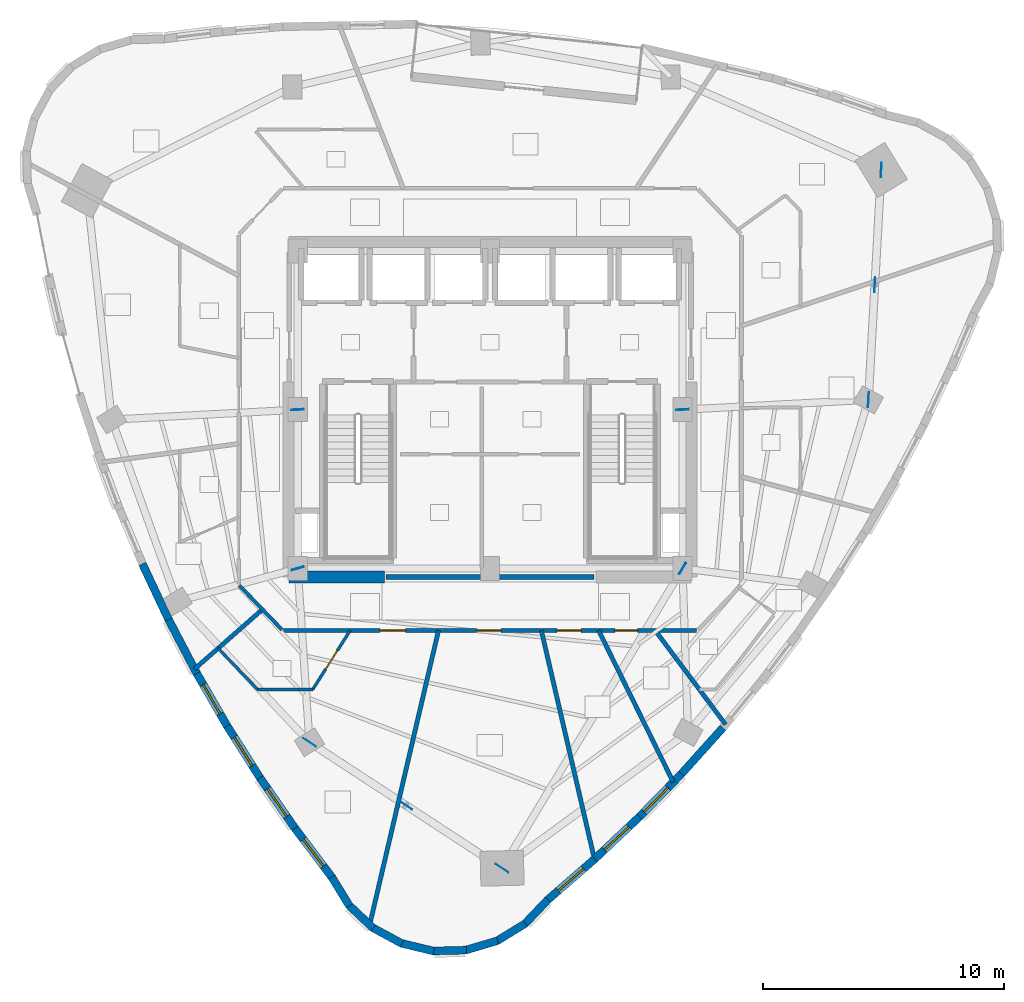
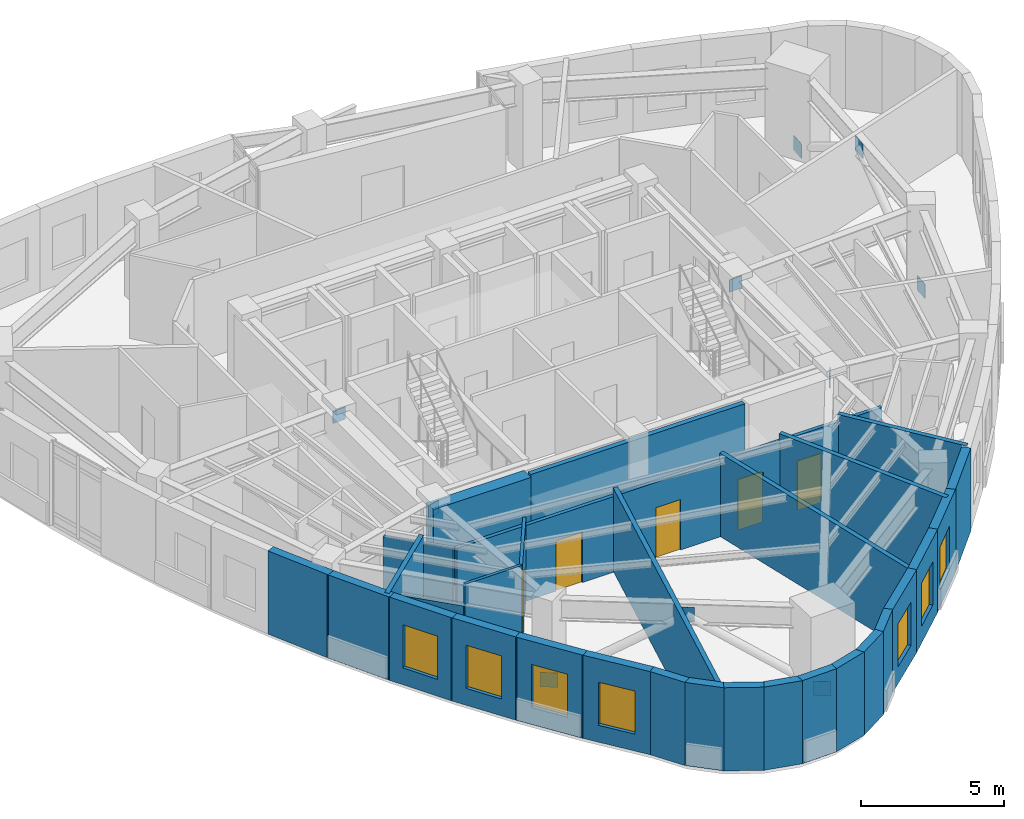
# One storey, part 9 of 16: 30 walls, 10 plates, 7 windows, 5 doors, 12 openings.
"""IFC4 building model written with IfcOpenShell, lengths in metres."""

from ifc_helpers import new_model, si_unit, direction, frame, frame_2d, origin, origin_2d, place, context, subcontext, project, spatial, rectangle, extrude, material, layer, layer_set, type_object, element, fill, save


model = new_model("IFC4")

# Units and contexts
model_context = context("Model", 3, precision=1e-05, world=origin(), true_north=direction((0.0, 1.0)))
body_context = subcontext(model_context, "Body", "Model", "MODEL_VIEW")
ifc_project = project(units=[si_unit("LENGTHUNIT", "METRE"), si_unit("AREAUNIT", "SQUARE_METRE"), si_unit("VOLUMEUNIT", "CUBIC_METRE"), si_unit("PLANEANGLEUNIT", "RADIAN"), si_unit("MASSUNIT", "GRAM", prefix="KILO")], contexts=[model_context])

# Site, building, storey
site_placement = place(None, origin())
site = spatial("IfcSite", under=ifc_project, at=site_placement, CompositionType="ELEMENT")
building_placement = place(site_placement, origin())
building = spatial("IfcBuilding", under=site, at=building_placement, Name="Ndelora Gate Hotel", CompositionType="ELEMENT")
storey_placement = place(building_placement, frame((0.0, 0.0, 182.75)))
storey = spatial("IfcBuildingStorey", under=building, at=storey_placement, Name="L45", CompositionType="ELEMENT", Elevation=182.75)

# Plates
ifc_material_1 = material(Name="Steel S460", Category="steel")
ifc_layer_1 = layer(ifc_material_1, 0.035888671875)
ifc_layer_set_1 = layer_set([ifc_layer_1], Name="Steel S460")
plate_type_1 = type_object("IfcPlateType", Name="PL-EMBED-EP1", PredefinedType="USERDEFINED", material=ifc_layer_set_1)
for number, where, z_axis, x_axis, name in (
    (1, (-8.0, 0.0, 2.840087890625), (0.0, 0.0, 1.0), (0.998583482773, 0.053207404874, 0.0), "L45 Core shear-wall cast-in embed plate EP1"),
    (2, (-8.0, -6.60009765625, 2.840087890625), (0.0, 0.0, 1.0), (0.964419122639, 0.264378054854, 0.0), "L45 Core shear-wall cast-in embed plate EP1"),
    (3, (8.0, -6.60009765625, 2.840087890625), (0.0, 0.0, 1.0), (0.515636365015, 0.856807527438, 0.0), "L45 Core shear-wall cast-in embed plate EP1"),
    (4, (8.0, 0.0, 2.840087890625), (0.0, 0.0, 1.0), (0.998583482773, 0.053207404874, 0.0), "L45 Core shear-wall cast-in embed plate EP1"),
):
    element("IfcPlate", number, at=place(storey_placement, frame(where, z_axis=z_axis, x_axis=x_axis)), inside=storey, type_object=plate_type_1, Name=name, ObjectType="BASE_PLATE", PredefinedType="USERDEFINED", context=body_context, shape_type="SweptSolid", body=[
        extrude(rectangle(XDim=0.52001953125, YDim=0.035888671875, at=origin_2d()), origin(), (0.0, 0.0, 1.0), 0.52001953125),
    ])
ifc_material_2 = material(Name="Steel S355", Category="steel")
ifc_layer_2 = layer(ifc_material_2, 0.02001953125)
ifc_layer_set_2 = layer_set([ifc_layer_2], Name="Steel S355")
plate_type_2 = type_object("IfcPlateType", Name="PL-NODE-VN1", PredefinedType="USERDEFINED", material=ifc_layer_set_2)
for number, where, z_axis, x_axis, name in (
    (5, (-7.50830078125, -13.828369140625, -0.2900390625), (0.0, 0.0, 1.0), (-0.836955398099, 0.547271104292, 0.0), "Node gusset cap plate VN1"),
    (6, (0.499267578125, -19.064208984375, -0.2900390625), (0.0, 0.0, 1.0), (-0.836955398099, 0.547271104292, 0.0), "Node gusset cap plate VN1"),
    (7, (-3.50439453125, -16.4462890625, 2.68994140625), (0.0, 0.0, 1.0), (-0.836955398099, 0.547271104292, 0.0), "Node gusset cap plate VN1"),
    (8, (15.72998046875, 0.411865234375, -0.2900390625), (0.0, 0.0, 1.0), (0.055472980025, 0.998460188734, 0.0), "Node gusset cap plate VN1"),
    (9, (16.26025390625, 9.96435546875, -0.2900390625), (0.0, 0.0, 1.0), (0.055472980025, 0.998460188734, 0.0), "Node gusset cap plate VN1"),
    (10, (15.9951171875, 5.18798828125, 2.68994140625), (0.0, 0.0, 1.0), (0.055472980025, 0.998460188734, 0.0), "Node gusset cap plate VN1"),
):
    element("IfcPlate", number, at=place(storey_placement, frame(where, z_axis=z_axis, x_axis=x_axis)), inside=storey, type_object=plate_type_2, Name=name, ObjectType="GUSSET_PLATE", PredefinedType="USERDEFINED", context=body_context, shape_type="SweptSolid", body=[
        extrude(rectangle(XDim=0.6201171875, YDim=0.02001953125, at=origin_2d()), origin(), (0.0, 0.0, 1.0), 0.6201171875),
    ])

# Walls
ifc_material_3 = material(Name="Acoustic Double-Stud Gypsum Assembly", Category="gypsum")
ifc_layer_3 = layer(ifc_material_3, 0.179931640625)
ifc_layer_set_3 = layer_set([ifc_layer_3], Name="Acoustic Double-Stud Gypsum Assembly")
wall_type_1 = type_object("IfcWallType", Name="WL-ACOUST-180", PredefinedType="PARTITIONING", material=ifc_layer_set_3)
wall_1_placement = place(storey_placement, frame((6.866943359375, -9.179931640625, 0.0), z_axis=(0.0, 0.0, 1.0), x_axis=(0.598991453889, -0.800755417195, 0.0)))
element("IfcWall", 11, at=wall_1_placement, inside=storey, type_object=wall_type_1, Name="L45 Interior Wall IW-3", PredefinedType="PARTITIONING", context=body_context, shape_type="SweptSolid", body=[
    extrude(rectangle(XDim=4.882568359375, YDim=0.179931640625, at=frame_2d((2.44140625, 0.0))), origin(), (0.0, 0.0, 1.0), 3.550048828125),
])
wall_2_placement = place(storey_placement, frame((-9.464111328125, -8.3037109375, 0.0), z_axis=(0.0, 0.0, 1.0), x_axis=(-0.751699255643, -0.659506049302, 0.0)))
element("IfcWall", 12, at=wall_2_placement, inside=storey, type_object=wall_type_1, Name="L45 Interior Wall IW-3", PredefinedType="PARTITIONING", context=body_context, shape_type="SweptSolid", body=[
    extrude(rectangle(XDim=3.76025390625, YDim=0.179931640625, at=frame_2d((1.880126953125, 0.0))), origin(), (0.0, 0.0, 1.0), 3.550048828125),
])
wall_3_placement = place(storey_placement, frame((-2.14501953125, -9.179931640625, 0.0), z_axis=(0.0, 0.0, 1.0), x_axis=(-0.22755258656, -0.973765793376, 0.0)))
element("IfcWall", 13, at=wall_3_placement, inside=storey, type_object=wall_type_1, Name="L45 Interior Wall IW-3", PredefinedType="PARTITIONING", context=body_context, shape_type="SweptSolid", body=[
    extrude(rectangle(XDim=12.569091796875, YDim=0.179931640625, at=frame_2d((6.28466796875, 0.0))), origin(), (0.0, 0.0, 1.0), 3.550048828125),
])
wall_4_placement = place(storey_placement, frame((2.131591796875, -9.179931640625, 0.0), z_axis=(0.0, 0.0, 1.0), x_axis=(0.226196232917, -0.974081754379, 0.0)))
element("IfcWall", 14, at=wall_4_placement, inside=storey, type_object=wall_type_1, Name="L45 Interior Wall IW-3", PredefinedType="PARTITIONING", context=body_context, shape_type="SweptSolid", body=[
    extrude(rectangle(XDim=9.762451171875, YDim=0.179931640625, at=frame_2d((4.88134765625, 0.0))), origin(), (0.0, 0.0, 1.0), 3.550048828125),
])
wall_5_placement = place(storey_placement, frame((4.51416015625, -9.179931640625, 0.0), z_axis=(0.0, 0.0, 1.0), x_axis=(0.441285267702, -0.897366877319, 0.0)))
element("IfcWall", 15, at=wall_5_placement, inside=storey, type_object=wall_type_1, Name="L45 Interior Wall IW-3", PredefinedType="PARTITIONING", context=body_context, shape_type="SweptSolid", body=[
    extrude(rectangle(XDim=7.029052734375, YDim=0.179931640625, at=frame_2d((3.5146484375, 0.0))), origin(), (0.0, 0.0, 1.0), 3.550048828125),
])
ifc_material_4 = material(Name="Clay Brick Masonry", Category="masonry")
ifc_layer_4 = layer(ifc_material_4, 0.330078125)
ifc_layer_set_4 = layer_set([ifc_layer_4], Name="Clay Brick Masonry")
wall_type_2 = type_object("IfcWallType", Name="WL-BRICK-330", PredefinedType="SOLIDWALL", material=ifc_layer_set_4)
wall_6_placement = place(storey_placement, frame((-13.364990234375, -8.7314453125, 0.0), z_axis=(0.0, 0.0, 1.0), x_axis=(-0.425774125911, 0.90482948322, 0.0)))
element("IfcWall", 16, at=wall_6_placement, inside=storey, type_object=wall_type_2, Name="L45 Tower Brick Pier-and-Spandrel Wall TWR-15", PredefinedType="SOLIDWALL", context=body_context, shape_type="SweptSolid", body=[
    extrude(rectangle(XDim=2.56591796875, YDim=0.330078125, at=frame_2d((1.282958984375, 0.0))), origin(), (0.0, 0.0, 1.0), 3.550048828125),
])
wall_7_placement = place(storey_placement, frame((-12.196044921875, -10.964599609375, 0.0), z_axis=(0.0, 0.0, 1.0), x_axis=(-0.463361004434, 0.886169611062, 0.0)))
element("IfcWall", 17, at=wall_7_placement, inside=storey, type_object=wall_type_2, Name="L45 Tower Brick Pier-and-Spandrel Wall TWR-16", PredefinedType="SOLIDWALL", context=body_context, shape_type="SweptSolid", body=[
    extrude(rectangle(XDim=2.57080078125, YDim=0.330078125, at=frame_2d((1.285400390625, 0.0))), origin(), (0.0, 0.0, 1.0), 3.550048828125),
])

# Wall, opening, window
wall_8_placement = place(storey_placement, frame((-10.930908203125, -13.15478515625, 0.0), z_axis=(0.0, 0.0, 1.0), x_axis=(-0.499875407217, 0.866097325513, 0.0)))
wall_8 = element("IfcWall", 18, at=wall_8_placement, inside=storey, type_object=wall_type_2, Name="L45 Tower Brick Pier-and-Spandrel Wall TWR-17", PredefinedType="SOLIDWALL", context=body_context, shape_type="SweptSolid", body=[
    extrude(rectangle(XDim=2.579345703125, YDim=0.330078125, at=frame_2d((1.28955078125, 0.0))), origin(), (0.0, 0.0, 1.0), 3.550048828125),
])
opening_1_placement = place(wall_8_placement, frame((0.589599609375, 0.0, 0.719970703125)))
opening_1 = element("IfcOpeningElement", 19, at=opening_1_placement, cuts=wall_8, Name="Opening W02", PredefinedType="OPENING", context=body_context, shape_type="SweptSolid", body=[
    extrude(rectangle(XDim=1.39990234375, YDim=1.840087890625, at=frame_2d((0.699951171875, 0.919921875))), frame((0.0, 0.175048828125, 0.0), z_axis=(0.0, -1.0, 0.0), x_axis=(1.0, 0.0, 0.0)), (0.0, 0.0, 1.0), 0.35009765625),
])
ifc_material_5 = material(Name="Insulated Low-E Double Glazing in Bronze Aluminium Frame", Category="aluminium")
window_type = type_object("IfcWindowType", Name="WN-DEEP-1400", PartitioningType="SINGLE_PANEL", PredefinedType="WINDOW", material=ifc_material_5)
window_1_placement = place(opening_1_placement, origin())
window_1 = element("IfcWindow", 20, at=window_1_placement, inside=storey, type_object=window_type, Name="L45 Deep-Set Brick-Pier Window W02", OverallHeight=1.840087890625, OverallWidth=1.39990234375, PartitioningType="SINGLE_PANEL", PredefinedType="WINDOW", context=body_context, shape_type="SweptSolid", body=[
    extrude(rectangle(XDim=1.39990234375, YDim=1.840087890625, at=frame_2d((0.699951171875, 0.919921875))), frame((0.0, 0.030029296875, 0.0), z_axis=(0.0, -1.0, 0.0), x_axis=(1.0, 0.0, 0.0)), (0.0, 0.0, 1.0), 0.06005859375),
])
fill(opening_1, window_1)

wall_9_placement = place(storey_placement, frame((-9.5693359375, -15.302001953125, 0.0), z_axis=(0.0, 0.0, 1.0), x_axis=(-0.535186500918, 0.844733928072, 0.0)))
wall_9 = element("IfcWall", 21, at=wall_9_placement, inside=storey, type_object=wall_type_2, Name="L45 Tower Brick Pier-and-Spandrel Wall TWR-18", PredefinedType="SOLIDWALL", context=body_context, shape_type="SweptSolid", body=[
    extrude(rectangle(XDim=2.592529296875, YDim=0.330078125, at=frame_2d((1.29638671875, 0.0))), origin(), (0.0, 0.0, 1.0), 3.550048828125),
])
opening_2_placement = place(wall_9_placement, frame((0.59619140625, 0.0, 0.719970703125)))
opening_2 = element("IfcOpeningElement", 22, at=opening_2_placement, cuts=wall_9, Name="Opening W02", PredefinedType="OPENING", context=body_context, shape_type="SweptSolid", body=[
    extrude(rectangle(XDim=1.39990234375, YDim=1.840087890625, at=frame_2d((0.699951171875, 0.919921875))), frame((0.0, 0.175048828125, 0.0), z_axis=(0.0, -1.0, 0.0), x_axis=(1.0, 0.0, 0.0)), (0.0, 0.0, 1.0), 0.35009765625),
])
window_2_placement = place(opening_2_placement, origin())
window_2 = element("IfcWindow", 23, at=window_2_placement, inside=storey, type_object=window_type, Name="L45 Deep-Set Brick-Pier Window W02", OverallHeight=1.840087890625, OverallWidth=1.39990234375, PartitioningType="SINGLE_PANEL", PredefinedType="WINDOW", context=body_context, shape_type="SweptSolid", body=[
    extrude(rectangle(XDim=1.39990234375, YDim=1.840087890625, at=frame_2d((0.699951171875, 0.919921875))), frame((0.0, 0.030029296875, 0.0), z_axis=(0.0, -1.0, 0.0), x_axis=(1.0, 0.0, 0.0)), (0.0, 0.0, 1.0), 0.06005859375),
])
fill(opening_2, window_2)

wall_10_placement = place(storey_placement, frame((-8.111572265625, -17.406494140625, 0.0), z_axis=(0.0, 0.0, 1.0), x_axis=(-0.569122418308, 0.822252803571, 0.0)))
wall_10 = element("IfcWall", 24, at=wall_10_placement, inside=storey, type_object=wall_type_2, Name="L45 Tower Brick Pier-and-Spandrel Wall TWR-19", PredefinedType="SOLIDWALL", context=body_context, shape_type="SweptSolid", body=[
    extrude(rectangle(XDim=2.60986328125, YDim=0.330078125, at=frame_2d((1.304931640625, 0.0))), origin(), (0.0, 0.0, 1.0), 3.550048828125),
])
opening_3_placement = place(wall_10_placement, frame((0.60498046875, 0.0, 0.719970703125)))
opening_3 = element("IfcOpeningElement", 25, at=opening_3_placement, cuts=wall_10, Name="Opening W02", PredefinedType="OPENING", context=body_context, shape_type="SweptSolid", body=[
    extrude(rectangle(XDim=1.39990234375, YDim=1.840087890625, at=frame_2d((0.699951171875, 0.919921875))), frame((0.0, 0.175048828125, 0.0), z_axis=(0.0, -1.0, 0.0), x_axis=(1.0, 0.0, 0.0)), (0.0, 0.0, 1.0), 0.35009765625),
])
window_3_placement = place(opening_3_placement, origin())
window_3 = element("IfcWindow", 26, at=window_3_placement, inside=storey, type_object=window_type, Name="L45 Deep-Set Brick-Pier Window W02", OverallHeight=1.840087890625, OverallWidth=1.39990234375, PartitioningType="SINGLE_PANEL", PredefinedType="WINDOW", context=body_context, shape_type="SweptSolid", body=[
    extrude(rectangle(XDim=1.39990234375, YDim=1.840087890625, at=frame_2d((0.699951171875, 0.919921875))), frame((0.0, 0.030029296875, 0.0), z_axis=(0.0, -1.0, 0.0), x_axis=(1.0, 0.0, 0.0)), (0.0, 0.0, 1.0), 0.06005859375),
])
fill(opening_3, window_3)

wall_11_placement = place(storey_placement, frame((-6.55712890625, -19.4677734375, 0.0), z_axis=(0.0, 0.0, 1.0), x_axis=(-0.601735324528, 0.798695561034, 0.0)))
wall_11 = element("IfcWall", 27, at=wall_11_placement, inside=storey, type_object=wall_type_2, Name="L45 Tower Brick Pier-and-Spandrel Wall TWR-20", PredefinedType="SOLIDWALL", context=body_context, shape_type="SweptSolid", body=[
    extrude(rectangle(XDim=2.631591796875, YDim=0.330078125, at=frame_2d((1.31591796875, 0.0))), origin(), (0.0, 0.0, 1.0), 3.550048828125),
])
opening_4_placement = place(wall_11_placement, frame((0.61572265625, 0.0, 0.719970703125)))
opening_4 = element("IfcOpeningElement", 28, at=opening_4_placement, cuts=wall_11, Name="Opening W02", PredefinedType="OPENING", context=body_context, shape_type="SweptSolid", body=[
    extrude(rectangle(XDim=1.39990234375, YDim=1.840087890625, at=frame_2d((0.699951171875, 0.919921875))), frame((0.0, 0.175048828125, 0.0), z_axis=(0.0, -1.0, 0.0), x_axis=(1.0, 0.0, 0.0)), (0.0, 0.0, 1.0), 0.35009765625),
])
window_4_placement = place(opening_4_placement, origin())
window_4 = element("IfcWindow", 29, at=window_4_placement, inside=storey, type_object=window_type, Name="L45 Deep-Set Brick-Pier Window W02", OverallHeight=1.840087890625, OverallWidth=1.39990234375, PartitioningType="SINGLE_PANEL", PredefinedType="WINDOW", context=body_context, shape_type="SweptSolid", body=[
    extrude(rectangle(XDim=1.39990234375, YDim=1.840087890625, at=frame_2d((0.699951171875, 0.919921875))), frame((0.0, 0.030029296875, 0.0), z_axis=(0.0, -1.0, 0.0), x_axis=(1.0, 0.0, 0.0)), (0.0, 0.0, 1.0), 0.06005859375),
])
fill(opening_4, window_4)

# Walls
for number, where, z_axis, x_axis, name in (
    (30, (-5.849853515625, -20.626708984375, 0.0), (0.0, 0.0, 1.0), (-0.522431898615, 0.852681013809, 0.0), "L45 Tower Brick Pier-and-Spandrel Wall TWR-21"),
    (31, (-4.860107421875, -21.556884765625, 0.0), (0.0, 0.0, 1.0), (-0.725423722687, 0.688302566146, 0.0), "L45 Tower Brick Pier-and-Spandrel Wall TWR-22"),
):
    element("IfcWall", number, at=place(storey_placement, frame(where, z_axis=z_axis, x_axis=x_axis)), inside=storey, type_object=wall_type_2, Name=name, PredefinedType="SOLIDWALL", context=body_context, shape_type="SweptSolid", body=[
        extrude(rectangle(XDim=1.407470703125, YDim=0.330078125, at=frame_2d((0.70361328125, 0.0))), origin(), (0.0, 0.0, 1.0), 3.550048828125),
    ])
wall_12_placement = place(storey_placement, frame((-3.663330078125, -22.19921875, 0.0), z_axis=(0.0, 0.0, 1.0), x_axis=(-0.878861744685, 0.477076549129, 0.0)))
element("IfcWall", 32, at=wall_12_placement, inside=storey, type_object=wall_type_2, Name="L45 Tower Brick Pier-and-Spandrel Wall TWR-23", PredefinedType="SOLIDWALL", context=body_context, shape_type="SweptSolid", body=[
    extrude(rectangle(XDim=1.4072265625, YDim=0.330078125, at=frame_2d((0.70361328125, 0.0))), origin(), (0.0, 0.0, 1.0), 3.550048828125),
])
for number, where, z_axis, x_axis, name in (
    (33, (-2.341064453125, -22.510009765625, 0.0), (0.0, 0.0, 1.0), (-0.972404618844, 0.233300787076, 0.0), "L45 Tower Brick Pier-and-Spandrel Wall TWR-24"),
    (34, (-0.9833984375, -22.468017578125, 0.0), (0.0, 0.0, 1.0), (-0.999656913907, -0.02619264168, 0.0), "L45 Tower Brick Pier-and-Spandrel Wall TWR-25"),
    (35, (0.3173828125, -22.076171875, 0.0), (0.0, 0.0, 1.0), (-0.95884184708, -0.283940684455, 0.0), "L45 Tower Brick Pier-and-Spandrel Wall TWR-26"),
):
    element("IfcWall", number, at=place(storey_placement, frame(where, z_axis=z_axis, x_axis=x_axis)), inside=storey, type_object=wall_type_2, Name=name, PredefinedType="SOLIDWALL", context=body_context, shape_type="SweptSolid", body=[
        extrude(rectangle(XDim=1.407470703125, YDim=0.330078125, at=frame_2d((0.70361328125, 0.0))), origin(), (0.0, 0.0, 1.0), 3.550048828125),
    ])
wall_13_placement = place(storey_placement, frame((1.471923828125, -21.36083984375, 0.0), z_axis=(0.0, 0.0, 1.0), x_axis=(-0.852633662668, -0.522509174355, 0.0)))
element("IfcWall", 36, at=wall_13_placement, inside=storey, type_object=wall_type_2, Name="L45 Tower Brick Pier-and-Spandrel Wall TWR-27", PredefinedType="SOLIDWALL", context=body_context, shape_type="SweptSolid", body=[
    extrude(rectangle(XDim=1.4072265625, YDim=0.330078125, at=frame_2d((0.70361328125, 0.0))), origin(), (0.0, 0.0, 1.0), 3.550048828125),
])
wall_14_placement = place(storey_placement, frame((2.40234375, -20.37109375, 0.0), z_axis=(0.0, 0.0, 1.0), x_axis=(-0.688302566146, -0.725423722687, 0.0)))
element("IfcWall", 37, at=wall_14_placement, inside=storey, type_object=wall_type_2, Name="L45 Tower Brick Pier-and-Spandrel Wall TWR-28", PredefinedType="SOLIDWALL", context=body_context, shape_type="SweptSolid", body=[
    extrude(rectangle(XDim=1.407470703125, YDim=0.330078125, at=frame_2d((0.70361328125, 0.0))), origin(), (0.0, 0.0, 1.0), 3.550048828125),
])

# Wall, opening, window
wall_15_placement = place(storey_placement, frame((4.352294921875, -18.678955078125, 0.0), z_axis=(0.0, 0.0, 1.0), x_axis=(-0.754647459821, -0.656130483505, 0.0)))
wall_15 = element("IfcWall", 38, at=wall_15_placement, inside=storey, type_object=wall_type_2, Name="L45 Tower Brick Pier-and-Spandrel Wall TWR-29", PredefinedType="SOLIDWALL", context=body_context, shape_type="SweptSolid", body=[
    extrude(rectangle(XDim=2.6318359375, YDim=0.330078125, at=frame_2d((1.31591796875, 0.0))), origin(), (0.0, 0.0, 1.0), 3.550048828125),
])
opening_5_placement = place(wall_15_placement, frame((0.61572265625, 0.0, 0.719970703125)))
opening_5 = element("IfcOpeningElement", 39, at=opening_5_placement, cuts=wall_15, Name="Opening W02", PredefinedType="OPENING", context=body_context, shape_type="SweptSolid", body=[
    extrude(rectangle(XDim=1.39990234375, YDim=1.840087890625, at=frame_2d((0.699951171875, 0.919921875))), frame((0.0, 0.175048828125, 0.0), z_axis=(0.0, -1.0, 0.0), x_axis=(1.0, 0.0, 0.0)), (0.0, 0.0, 1.0), 0.35009765625),
])
window_5_placement = place(opening_5_placement, origin())
window_5 = element("IfcWindow", 40, at=window_5_placement, inside=storey, type_object=window_type, Name="L45 Deep-Set Brick-Pier Window W02", OverallHeight=1.840087890625, OverallWidth=1.39990234375, PartitioningType="SINGLE_PANEL", PredefinedType="WINDOW", context=body_context, shape_type="SweptSolid", body=[
    extrude(rectangle(XDim=1.39990234375, YDim=1.840087890625, at=frame_2d((0.699951171875, 0.919921875))), frame((0.0, 0.030029296875, 0.0), z_axis=(0.0, -1.0, 0.0), x_axis=(1.0, 0.0, 0.0)), (0.0, 0.0, 1.0), 0.06005859375),
])
fill(opening_5, window_5)

wall_16_placement = place(storey_placement, frame((6.214599609375, -16.92236328125, 0.0), z_axis=(0.0, 0.0, 1.0), x_axis=(-0.72774946529, -0.685843069346, 0.0)))
wall_16 = element("IfcWall", 41, at=wall_16_placement, inside=storey, type_object=wall_type_2, Name="L45 Tower Brick Pier-and-Spandrel Wall TWR-30", PredefinedType="SOLIDWALL", context=body_context, shape_type="SweptSolid", body=[
    extrude(rectangle(XDim=2.60986328125, YDim=0.330078125, at=frame_2d((1.304931640625, 0.0))), origin(), (0.0, 0.0, 1.0), 3.550048828125),
])
opening_6_placement = place(wall_16_placement, frame((0.60498046875, 0.0, 0.719970703125)))
opening_6 = element("IfcOpeningElement", 42, at=opening_6_placement, cuts=wall_16, Name="Opening W02", PredefinedType="OPENING", context=body_context, shape_type="SweptSolid", body=[
    extrude(rectangle(XDim=1.39990234375, YDim=1.840087890625, at=frame_2d((0.699951171875, 0.919921875))), frame((0.0, 0.175048828125, 0.0), z_axis=(0.0, -1.0, 0.0), x_axis=(1.0, 0.0, 0.0)), (0.0, 0.0, 1.0), 0.35009765625),
])
window_6_placement = place(opening_6_placement, origin())
window_6 = element("IfcWindow", 43, at=window_6_placement, inside=storey, type_object=window_type, Name="L45 Deep-Set Brick-Pier Window W02", OverallHeight=1.840087890625, OverallWidth=1.39990234375, PartitioningType="SINGLE_PANEL", PredefinedType="WINDOW", context=body_context, shape_type="SweptSolid", body=[
    extrude(rectangle(XDim=1.39990234375, YDim=1.840087890625, at=frame_2d((0.699951171875, 0.919921875))), frame((0.0, 0.030029296875, 0.0), z_axis=(0.0, -1.0, 0.0), x_axis=(1.0, 0.0, 0.0)), (0.0, 0.0, 1.0), 0.06005859375),
])
fill(opening_6, window_6)

wall_17_placement = place(storey_placement, frame((7.9912109375, -15.103515625, 0.0), z_axis=(0.0, 0.0, 1.0), x_axis=(-0.699057723408, -0.71506524132, 0.0)))
wall_17 = element("IfcWall", 44, at=wall_17_placement, inside=storey, type_object=wall_type_2, Name="L45 Tower Brick Pier-and-Spandrel Wall TWR-31", PredefinedType="SOLIDWALL", context=body_context, shape_type="SweptSolid", body=[
    extrude(rectangle(XDim=2.5927734375, YDim=0.330078125, at=frame_2d((1.29638671875, 0.0))), origin(), (0.0, 0.0, 1.0), 3.550048828125),
])
opening_7_placement = place(wall_17_placement, frame((0.860107421875, 0.0, 0.719970703125)))
opening_7 = element("IfcOpeningElement", 45, at=opening_7_placement, cuts=wall_17, Name="Opening W02", PredefinedType="OPENING", context=body_context, shape_type="SweptSolid", body=[
    extrude(rectangle(XDim=1.39990234375, YDim=1.840087890625, at=frame_2d((0.699951171875, 0.919921875))), frame((0.0, 0.175048828125, 0.0), z_axis=(0.0, -1.0, 0.0), x_axis=(1.0, 0.0, 0.0)), (0.0, 0.0, 1.0), 0.35009765625),
])
window_7_placement = place(opening_7_placement, origin())
window_7 = element("IfcWindow", 46, at=window_7_placement, inside=storey, type_object=window_type, Name="L45 Deep-Set Brick-Pier Window W02", OverallHeight=1.840087890625, OverallWidth=1.39990234375, PartitioningType="SINGLE_PANEL", PredefinedType="WINDOW", context=body_context, shape_type="SweptSolid", body=[
    extrude(rectangle(XDim=1.39990234375, YDim=1.840087890625, at=frame_2d((0.699951171875, 0.919921875))), frame((0.0, 0.030029296875, 0.0), z_axis=(0.0, -1.0, 0.0), x_axis=(1.0, 0.0, 0.0)), (0.0, 0.0, 1.0), 0.06005859375),
])
fill(opening_7, window_7)

# Walls
wall_18_placement = place(storey_placement, frame((9.6826171875, -13.222900390625, 0.0), z_axis=(0.0, 0.0, 1.0), x_axis=(-0.668980419183, -0.743280027143, 0.0)))
element("IfcWall", 47, at=wall_18_placement, inside=storey, type_object=wall_type_2, Name="L45 Tower Brick Pier-and-Spandrel Wall TWR-32", PredefinedType="SOLIDWALL", context=body_context, shape_type="SweptSolid", body=[
    extrude(rectangle(XDim=2.579345703125, YDim=0.330078125, at=frame_2d((1.28955078125, 0.0))), origin(), (0.0, 0.0, 1.0), 3.550048828125),
])
ifc_material_6 = material(Name="Concrete C50/60", Category="concrete")
ifc_layer_5 = layer(ifc_material_6, 0.5)
ifc_layer_set_5 = layer_set([ifc_layer_5], Name="Concrete C50/60")
wall_type_3 = type_object("IfcWallType", Name="WL-CORE-500", PredefinedType="SHEAR", material=ifc_layer_set_5)
wall_19_placement = place(storey_placement, frame((-8.35009765625, -6.949951171875, 0.0), z_axis=(0.0, 0.0, 1.0), x_axis=(1.0, 0.0, 0.0)))
element("IfcWall", 48, at=wall_19_placement, inside=storey, type_object=wall_type_3, Name="L45 Core Shear Wall S-W", PredefinedType="SHEAR", context=body_context, shape_type="SweptSolid", body=[
    extrude(rectangle(XDim=3.9501953125, YDim=0.5, at=frame_2d((1.97509765625, 0.0))), origin(), (0.0, 0.0, 1.0), 3.550048828125),
])
ifc_material_7 = material(Name="Concrete C40/50", Category="concrete")
ifc_layer_6 = layer(ifc_material_7, 0.199951171875)
ifc_layer_set_6 = layer_set([ifc_layer_6], Name="Concrete C40/50")
wall_type_4 = type_object("IfcWallType", Name="WL-FIRE-200", PredefinedType="PARTITIONING", material=ifc_layer_set_6)
wall_20_placement = place(storey_placement, frame((-4.320068359375, -6.949951171875, 0.0), z_axis=(0.0, 0.0, 1.0), x_axis=(1.0, 0.0, 0.0)))
element("IfcWall", 49, at=wall_20_placement, inside=storey, type_object=wall_type_4, Name="L45 Interior Wall IW-2", PredefinedType="PARTITIONING", context=body_context, shape_type="SweptSolid", body=[
    extrude(rectangle(XDim=8.64013671875, YDim=0.199951171875, at=frame_2d((4.320068359375, 0.0))), origin(), (0.0, 0.0, 1.0), 3.550048828125),
])

# Wall, openings, doors
ifc_material_8 = material(Name="Fire-Rated Gypsum Stud Partition", Category="gypsum")
ifc_layer_7 = layer(ifc_material_8, 0.14990234375)
ifc_layer_set_7 = layer_set([ifc_layer_7], Name="Fire-Rated Gypsum Stud Partition")
wall_type_5 = type_object("IfcWallType", Name="WL-PART-150", PredefinedType="PARTITIONING", material=ifc_layer_set_7)
wall_21_placement = place(storey_placement, frame((8.580078125, -9.179931640625, 0.0), z_axis=(0.0, 0.0, 1.0), x_axis=(-1.0, 0.0, 0.0)))
wall_21 = element("IfcWall", 50, at=wall_21_placement, inside=storey, type_object=wall_type_5, Name="L45 Interior Wall IW-5", PredefinedType="PARTITIONING", context=body_context, shape_type="SweptSolid", body=[
    extrude(rectangle(XDim=17.16015625, YDim=0.14990234375, at=frame_2d((8.580078125, 0.0))), origin(), (0.0, 0.0, 1.0), 3.22998046875),
])
opening_8_placement = place(wall_21_placement, frame((2.4443359375, 0.0, 0.0)))
opening_8 = element("IfcOpeningElement", 51, at=opening_8_placement, cuts=wall_21, Name="Opening D05", PredefinedType="OPENING", context=body_context, shape_type="SweptSolid", body=[
    extrude(rectangle(XDim=0.949951171875, YDim=2.10009765625, at=frame_2d((0.47509765625, 1.050048828125))), frame((0.0, 0.0849609375, 0.0), z_axis=(0.0, -1.0, 0.0), x_axis=(1.0, 0.0, 0.0)), (0.0, 0.0, 1.0), 0.169921875),
])
opening_9_placement = place(wall_21_placement, frame((4.7978515625, 0.0, 0.0)))
opening_9 = element("IfcOpeningElement", 52, at=opening_9_placement, cuts=wall_21, Name="Opening D01", PredefinedType="OPENING", context=body_context, shape_type="SweptSolid", body=[
    extrude(rectangle(XDim=1.0, YDim=2.14990234375, at=frame_2d((0.5, 1.074951171875))), frame((0.0, 0.0849609375, 0.0), z_axis=(0.0, -1.0, 0.0), x_axis=(1.0, 0.0, 0.0)), (0.0, 0.0, 1.0), 0.169921875),
])
opening_10_placement = place(wall_21_placement, frame((12.09619140625, 0.0, 0.0)))
opening_10 = element("IfcOpeningElement", 53, at=opening_10_placement, cuts=wall_21, Name="Opening D07", PredefinedType="OPENING", context=body_context, shape_type="SweptSolid", body=[
    extrude(rectangle(XDim=1.06005859375, YDim=2.14990234375, at=frame_2d((0.530029296875, 1.074951171875))), frame((0.0, 0.0849609375, 0.0), z_axis=(0.0, -1.0, 0.0), x_axis=(1.0, 0.0, 0.0)), (0.0, 0.0, 1.0), 0.169921875),
])
opening_11_placement = place(wall_21_placement, frame((8.13671875, 0.0, 0.0)))
opening_11 = element("IfcOpeningElement", 54, at=opening_11_placement, cuts=wall_21, Name="Opening D01", PredefinedType="OPENING", context=body_context, shape_type="SweptSolid", body=[
    extrude(rectangle(XDim=1.0, YDim=2.14990234375, at=frame_2d((0.5, 1.074951171875))), frame((0.0, 0.0849609375, 0.0), z_axis=(0.0, -1.0, 0.0), x_axis=(1.0, 0.0, 0.0)), (0.0, 0.0, 1.0), 0.169921875),
])
ifc_material_9 = material(Name="Accessible Restroom Wide-Clearance Door", Category="wood")
door_type_1 = type_object("IfcDoorType", Name="DR-ACC-950", OperationType="SINGLE_SWING_LEFT", PredefinedType="DOOR", material=ifc_material_9)
door_1_placement = place(opening_8_placement, origin())
door_1 = element("IfcDoor", 55, at=door_1_placement, inside=storey, type_object=door_type_1, Name="L45 Accessible WC Entrance Door", OperationType="SINGLE_SWING_RIGHT", OverallHeight=2.10009765625, OverallWidth=0.949951171875, PredefinedType="DOOR", context=body_context, shape_type="SweptSolid", body=[
    extrude(rectangle(XDim=0.949951171875, YDim=2.10009765625, at=frame_2d((0.47509765625, 1.050048828125))), frame((0.0, 0.02490234375, 0.0), z_axis=(0.0, -1.0, 0.0), x_axis=(1.0, 0.0, 0.0)), (0.0, 0.0, 1.0), 0.050048828125),
])
fill(opening_8, door_1)
ifc_material_10 = material(Name="Acoustic Hardwood Guest Entrance Door", Category="wood")
door_type_2 = type_object("IfcDoorType", Name="DR-COR-1000", OperationType="SINGLE_SWING_LEFT", PredefinedType="DOOR", material=ifc_material_10)
door_2_placement = place(opening_9_placement, origin())
door_2 = element("IfcDoor", 56, at=door_2_placement, inside=storey, type_object=door_type_2, Name="L45 Housekeeping and Linen Room Entrance Door", OperationType="SINGLE_SWING_RIGHT", OverallHeight=2.14990234375, OverallWidth=1.0, PredefinedType="DOOR", context=body_context, shape_type="SweptSolid", body=[
    extrude(rectangle(XDim=1.0, YDim=2.14990234375, at=frame_2d((0.5, 1.074951171875))), frame((0.0, 0.02490234375, 0.0), z_axis=(0.0, -1.0, 0.0), x_axis=(1.0, 0.0, 0.0)), (0.0, 0.0, 1.0), 0.050048828125),
])
fill(opening_9, door_2)
door_3_placement = place(opening_11_placement, origin())
door_3 = element("IfcDoor", 57, at=door_3_placement, inside=storey, type_object=door_type_2, Name="L45 Butler Service Kitchen Entrance Door", OperationType="SINGLE_SWING_LEFT", OverallHeight=2.14990234375, OverallWidth=1.0, PredefinedType="DOOR", context=body_context, shape_type="SweptSolid", body=[
    extrude(rectangle(XDim=1.0, YDim=2.14990234375, at=frame_2d((0.5, 1.074951171875))), frame((0.0, 0.02490234375, 0.0), z_axis=(0.0, -1.0, 0.0), x_axis=(1.0, 0.0, 0.0)), (0.0, 0.0, 1.0), 0.050048828125),
])
fill(opening_11, door_3)
ifc_material_11 = material(Name="Diplomatic Suite Acoustic Entrance Door", Category="wood")
door_type_3 = type_object("IfcDoorType", Name="DR-SUITE-1060", OperationType="SINGLE_SWING_LEFT", PredefinedType="DOOR", material=ifc_material_11)
door_4_placement = place(opening_10_placement, origin())
door_4 = element("IfcDoor", 58, at=door_4_placement, inside=storey, type_object=door_type_3, Name="L45 Executive Sky Suite 4807 Entrance Door", OperationType="SINGLE_SWING_RIGHT", OverallHeight=2.14990234375, OverallWidth=1.06005859375, PredefinedType="DOOR", context=body_context, shape_type="SweptSolid", body=[
    extrude(rectangle(XDim=1.06005859375, YDim=2.14990234375, at=frame_2d((0.530029296875, 1.074951171875))), frame((0.0, 0.02490234375, 0.0), z_axis=(0.0, -1.0, 0.0), x_axis=(1.0, 0.0, 0.0)), (0.0, 0.0, 1.0), 0.050048828125),
])
fill(opening_10, door_4)

# Wall
wall_22_placement = place(storey_placement, frame((-8.647705078125, -9.151123046875, 0.0), z_axis=(0.0, 0.0, 1.0), x_axis=(-0.693764562202, 0.720201869085, 0.0)))
element("IfcWall", 59, at=wall_22_placement, inside=storey, type_object=wall_type_5, Name="L45 Interior Wall IW-5", PredefinedType="PARTITIONING", context=body_context, shape_type="SweptSolid", body=[
    extrude(rectangle(XDim=2.55810546875, YDim=0.14990234375, at=frame_2d((1.279052734375, 0.0))), origin(), (0.0, 0.0, 1.0), 3.22998046875),
])

# Wall, opening, door
ifc_material_12 = material(Name="Moisture-Resistant Bathroom Tile Partition", Category="gypsum")
ifc_layer_8 = layer(ifc_material_12, 0.1201171875)
ifc_layer_set_8 = layer_set([ifc_layer_8], Name="Moisture-Resistant Bathroom Tile Partition")
wall_type_6 = type_object("IfcWallType", Name="WL-WET-120", PredefinedType="PARTITIONING", material=ifc_layer_set_8)
wall_23_placement = place(storey_placement, frame((-5.818603515625, -9.179931640625, 0.0), z_axis=(0.0, 0.0, 1.0), x_axis=(-0.535382431743, -0.844609763015, 0.0)))
wall_23 = element("IfcWall", 60, at=wall_23_placement, inside=storey, type_object=wall_type_6, Name="L45 Interior Wall IW-7", PredefinedType="PARTITIONING", context=body_context, shape_type="SweptSolid", body=[
    extrude(rectangle(XDim=2.900634765625, YDim=0.1201171875, at=frame_2d((1.4501953125, 0.0))), origin(), (0.0, 0.0, 1.0), 3.550048828125),
])
opening_12_placement = place(wall_23_placement, frame((0.990234375, 0.0, 0.0)))
opening_12 = element("IfcOpeningElement", 61, at=opening_12_placement, cuts=wall_23, Name="Opening D03", PredefinedType="OPENING", context=body_context, shape_type="SweptSolid", body=[
    extrude(rectangle(XDim=0.919921875, YDim=2.10009765625, at=frame_2d((0.4599609375, 1.050048828125))), frame((0.0, 0.070068359375, 0.0), z_axis=(0.0, -1.0, 0.0), x_axis=(1.0, 0.0, 0.0)), (0.0, 0.0, 1.0), 0.14013671875),
])
ifc_material_13 = material(Name="Moisture-Resistant Hardwood En-Suite Door", Category="wood")
door_type_4 = type_object("IfcDoorType", Name="DR-BATH-920", OperationType="SINGLE_SWING_LEFT", PredefinedType="DOOR", material=ifc_material_13)
door_5_placement = place(opening_12_placement, origin())
door_5 = element("IfcDoor", 62, at=door_5_placement, inside=storey, type_object=door_type_4, Name="L45 En-suite Bathroom 4807 Door", OperationType="SINGLE_SWING_RIGHT", OverallHeight=2.10009765625, OverallWidth=0.919921875, PredefinedType="DOOR", context=body_context, shape_type="SweptSolid", body=[
    extrude(rectangle(XDim=0.919921875, YDim=2.10009765625, at=frame_2d((0.4599609375, 1.050048828125))), frame((0.0, 0.02490234375, 0.0), z_axis=(0.0, -1.0, 0.0), x_axis=(1.0, 0.0, 0.0)), (0.0, 0.0, 1.0), 0.050048828125),
])
fill(opening_12, door_5)

# Walls
wall_24_placement = place(storey_placement, frame((-7.37158203125, -11.6298828125, 0.0), z_axis=(0.0, 0.0, 1.0), x_axis=(-1.0, 0.0, 0.0)))
element("IfcWall", 63, at=wall_24_placement, inside=storey, type_object=wall_type_6, Name="L45 Interior Wall IW-7", PredefinedType="PARTITIONING", context=body_context, shape_type="SweptSolid", body=[
    extrude(rectangle(XDim=2.290283203125, YDim=0.1201171875, at=frame_2d((1.14501953125, 0.0))), origin(), (0.0, 0.0, 1.0), 3.550048828125),
])
wall_25_placement = place(storey_placement, frame((-11.3076171875, -9.921142578125, 0.0), z_axis=(0.0, 0.0, 1.0), x_axis=(0.693706945125, -0.7202573667, 0.0)))
element("IfcWall", 64, at=wall_25_placement, inside=storey, type_object=wall_type_6, Name="L45 Interior Wall IW-7", PredefinedType="PARTITIONING", context=body_context, shape_type="SweptSolid", body=[
    extrude(rectangle(XDim=2.372314453125, YDim=0.1201171875, at=frame_2d((1.18603515625, 0.0))), origin(), (0.0, 0.0, 1.0), 2.6298828125),
])

save(model, "model.ifc")
